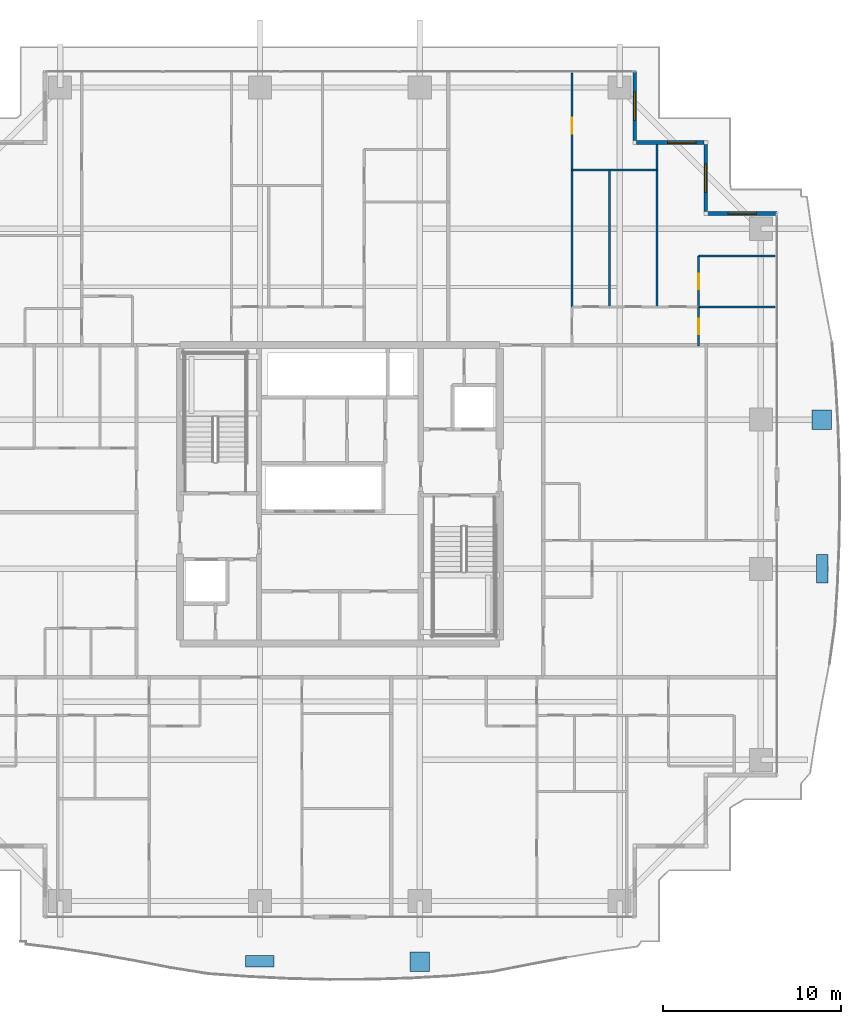
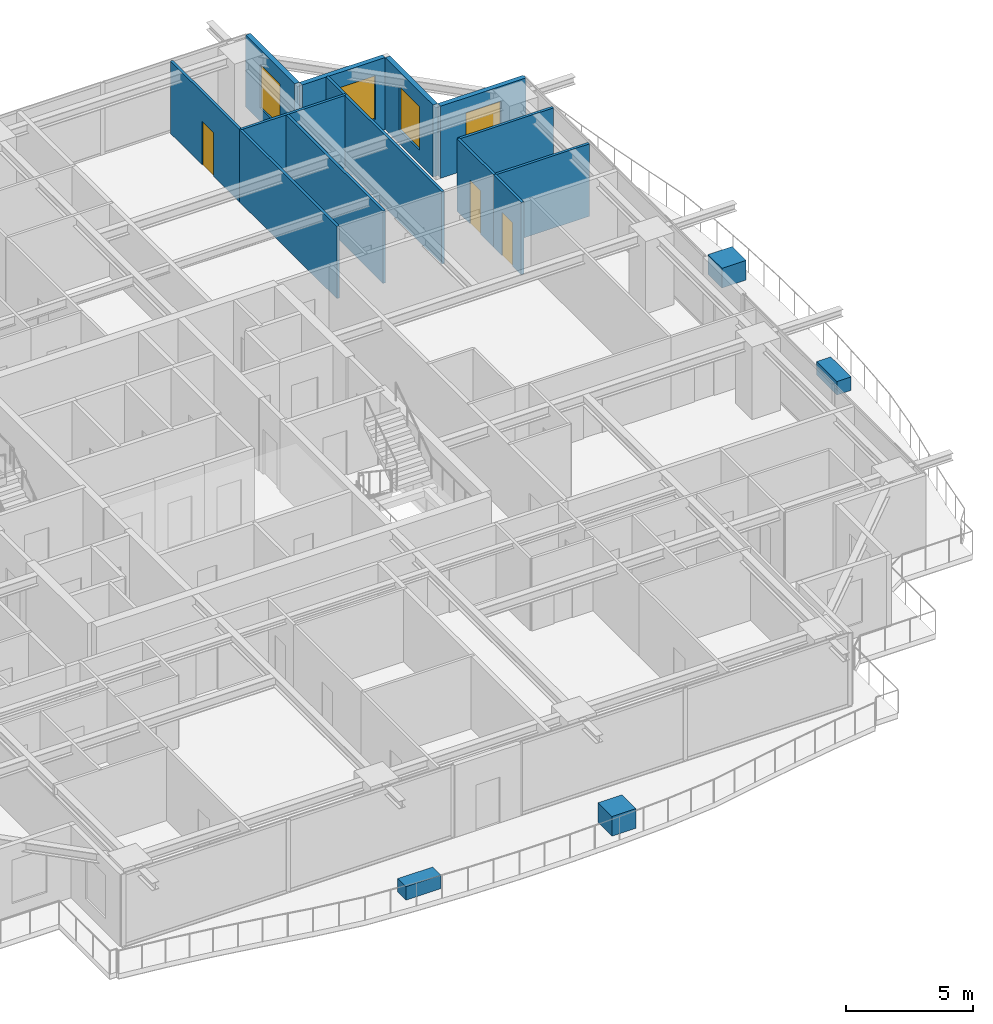
# One storey, part 32 of 38: 13 walls, 4 discrete accessories, 4 windows, 3 doors, 7 openings.
"""IFC4 building model written with IfcOpenShell, lengths in metres."""

import ifcopenshell
import ifcopenshell.guid

model = None  # the IFC model being written
_history = None  # IfcOwnerHistory: only IFC2X3 demands one
_inside = {}  # id of a spatial element -> (the spatial element, [elements in it])
_under = {}  # id of a project, library or spatial element -> (it, [spatial elements below it])
_declared = {}  # id of a project -> (the project, [libraries it declares])
_typed = {}  # id of a type object -> (the type object, [elements of that type])
_made_of = {}  # id of a material, layer set ... -> (it, [elements and type objects made of it])


def new_model(schema):
    """Start an empty IFC model of exactly this schema.

    Asked for "IFC4X3", IfcOpenShell would pick the latest addendum, in which some entities
    have other attributes; the version numbers below select the first issue.
    IFC2X3 requires an IfcOwnerHistory on every rooted entity: one is made here for all.
    """
    global model, _history
    if schema == "IFC4X3":
        model = ifcopenshell.file(schema_version=(4, 3, 0, 0))
    else:
        model = ifcopenshell.file(schema=schema)
    _inside.clear()
    _under.clear()
    _declared.clear()
    _typed.clear()
    _made_of.clear()
    _history = None
    if model.schema == "IFC2X3":
        org = make("IfcOrganization", Name="unknown")
        user = make(
            "IfcPersonAndOrganization",
            ThePerson=make("IfcPerson", FamilyName="unknown"),
            TheOrganization=org,
        )
        app = make(
            "IfcApplication",
            ApplicationDeveloper=org,
            Version="unknown",
            ApplicationFullName="unknown",
            ApplicationIdentifier="unknown",
        )
        _history = make(
            "IfcOwnerHistory",
            OwningUser=user,
            OwningApplication=app,
            ChangeAction="ADDED",
            CreationDate=0,
        )
    return model


def make(cls, **values):
    """One entity of the class cls with the attributes given. An attribute that is None is left unset."""
    return model.create_entity(
        cls, **{name: value for name, value in values.items() if value is not None}
    )


def rooted(cls, **values):
    """An entity with a GlobalId (a new one), such as an element, a storey or a relation."""
    return make(cls, GlobalId=ifcopenshell.guid.new(), OwnerHistory=_history, **values)


def si_unit(unit_type, name, prefix=None):
    """IfcSIUnit, for example si_unit("LENGTHUNIT", "METRE", prefix="MILLI")."""
    return make("IfcSIUnit", UnitType=unit_type, Prefix=prefix, Name=name)


def assignment(units):
    """IfcUnitAssignment: the units of a project."""
    return None if units is None else make("IfcUnitAssignment", Units=units)


def point(xyz):
    """IfcCartesianPoint."""
    return None if xyz is None else make("IfcCartesianPoint", Coordinates=xyz)


def direction(xyz):
    """IfcDirection."""
    return None if xyz is None else make("IfcDirection", DirectionRatios=xyz)


def frame(location, z_axis=None, x_axis=None):
    """IfcAxis2Placement3D, a coordinate frame: its origin and axes. An axis left out is left unset."""
    return make(
        "IfcAxis2Placement3D",
        Location=point(location),
        Axis=direction(z_axis),
        RefDirection=direction(x_axis),
    )


def frame_2d(location, x_axis=None):
    """IfcAxis2Placement2D, a coordinate frame in the plane: its origin and x axis."""
    return make(
        "IfcAxis2Placement2D", Location=point(location), RefDirection=direction(x_axis)
    )


def origin():
    """The frame at (0, 0, 0) with its axes left unset."""
    return frame((0.0, 0.0, 0.0))


def origin_2d():
    """The frame at (0, 0) in the plane with its x axis left unset."""
    return frame_2d((0.0, 0.0))


def place(relative_to, where):
    """IfcLocalPlacement: puts the frame where relative to a parent placement (None: the world)."""
    return make(
        "IfcLocalPlacement", PlacementRelTo=relative_to, RelativePlacement=where
    )


def context(
    kind, dimensions, precision=None, world=None, true_north=None, identifier=None
):
    """IfcGeometricRepresentationContext, for example the 3D "Model" context."""
    return make(
        "IfcGeometricRepresentationContext",
        ContextIdentifier=identifier,
        ContextType=kind,
        CoordinateSpaceDimension=dimensions,
        Precision=precision,
        WorldCoordinateSystem=world,
        TrueNorth=true_north,
    )


def subcontext(parent, identifier, kind, view, scale=None):
    """IfcGeometricRepresentationSubContext, for example "Body" below "Model"."""
    return make(
        "IfcGeometricRepresentationSubContext",
        ContextIdentifier=identifier,
        ContextType=kind,
        ParentContext=parent,
        TargetScale=scale,
        TargetView=view,
    )


def project(units=None, contexts=None):
    """IfcProject with its units and contexts."""
    return rooted(
        "IfcProject",
        Name="project",
        RepresentationContexts=contexts,
        UnitsInContext=assignment(units),
    )


def spatial(cls, under=None, at=None, **own):
    """A site, building, storey or space (cls), placed at a placement, below another one or the project."""
    s = rooted(cls, ObjectPlacement=at, **own)
    if under is not None:
        _under.setdefault(under.id(), (under, []))[1].append(s)
    return s


def profile(cls, at=None, kind="AREA", **sizes):
    """A parametric profile (cls). Its sizes go by their IFC names, for example OverallWidth=200.0."""
    return make(cls, ProfileType=kind, Position=at, **sizes)


def rectangle(**sizes):
    """IfcRectangleProfileDef."""
    return profile("IfcRectangleProfileDef", **sizes)


def extrude(swept, where, along, depth):
    """IfcExtrudedAreaSolid: the profile swept, set in the frame where, extruded along a direction by depth."""
    return make(
        "IfcExtrudedAreaSolid",
        SweptArea=swept,
        Position=where,
        ExtrudedDirection=direction(along),
        Depth=depth,
    )


def shape(context_of_items, identifier, shape_type, items):
    """IfcShapeRepresentation: the items that make up one representation, for example the "Body"."""
    return make(
        "IfcShapeRepresentation",
        ContextOfItems=context_of_items,
        RepresentationIdentifier=identifier,
        RepresentationType=shape_type,
        Items=items,
    )


def source(mapping_origin, context_of_items, identifier, shape_type, items):
    """IfcRepresentationMap: a shape defined once, which mapped items show again and again."""
    return make(
        "IfcRepresentationMap",
        MappingOrigin=mapping_origin,
        MappedRepresentation=shape(context_of_items, identifier, shape_type, items),
    )


def transform(
    local_origin,
    x_axis=None,
    y_axis=None,
    z_axis=None,
    scale=None,
    scale2=None,
    scale3=None,
    uniform=True,
):
    """IfcCartesianTransformationOperator3D, or its non-uniform kind. x_axis, y_axis, z_axis: its Axis1, 2, 3."""
    if uniform:
        return make(
            "IfcCartesianTransformationOperator3D",
            Axis1=direction(x_axis),
            Axis2=direction(y_axis),
            LocalOrigin=point(local_origin),
            Scale=scale,
            Axis3=direction(z_axis),
        )
    return make(
        "IfcCartesianTransformationOperator3DnonUniform",
        Axis1=direction(x_axis),
        Axis2=direction(y_axis),
        LocalOrigin=point(local_origin),
        Scale=scale,
        Axis3=direction(z_axis),
        Scale2=scale2,
        Scale3=scale3,
    )


def mapped(mapping_source, mapping_target):
    """IfcMappedItem: shows the shape of a source again, moved by a transform."""
    return make(
        "IfcMappedItem", MappingSource=mapping_source, MappingTarget=mapping_target
    )


def material(Name=None, Category=None):
    """IfcMaterial."""
    return make("IfcMaterial", Name=Name, Category=Category)


def layer(
    of_material, thickness, ventilated=None, Name=None, Category=None, Priority=None
):
    """IfcMaterialLayer: one layer of a wall or slab, of a material (None: an air gap)."""
    return make(
        "IfcMaterialLayer",
        Material=of_material,
        LayerThickness=thickness,
        IsVentilated=ventilated,
        Name=Name,
        Category=Category,
        Priority=Priority,
    )


def layer_set(layers, Name=None):
    """IfcMaterialLayerSet."""
    return make("IfcMaterialLayerSet", MaterialLayers=layers, LayerSetName=Name)


def made_of(thing, what):
    """Note that an element or type object is made of a material, layer set ...; save() writes the relation."""
    if what is not None:
        _made_of.setdefault(what.id(), (what, []))[1].append(thing)
    return thing


def type_object(cls, material=None, **own):
    """A type object (cls), such as IfcWallType, which elements share."""
    return made_of(rooted(cls, **own), material)


def element(
    cls,
    number,
    at=None,
    inside=None,
    cuts=None,
    type_object=None,
    material=None,
    context=None,
    identifier="Body",
    shape_type=None,
    held_by="IfcProductDefinitionShape",
    body=None,
    shapes=None,
    **own,
):
    """One element of the class cls, such as IfcWall. Its Tag is "e" and its number.

    at: its placement. inside: the storey or other place that contains it. cuts: it is an
    opening in that element (IfcRelVoidsElement). A single representation is given by context,
    identifier, shape_type and body (its items); several are given by shapes. held_by: the class
    of the entity that holds the representations. save() writes the other relations.
    """
    e = rooted(cls, Tag="e%d" % number, ObjectPlacement=at, **own)
    if body is not None:
        shapes = [shape(context, identifier, shape_type, body)]
    if shapes is not None:
        e.Representation = make(held_by, Representations=shapes)
    if inside is not None:
        _inside.setdefault(inside.id(), (inside, []))[1].append(e)
    if cuts is not None:
        rooted(
            "IfcRelVoidsElement", RelatingBuildingElement=cuts, RelatedOpeningElement=e
        )
    if type_object is not None:
        _typed.setdefault(type_object.id(), (type_object, []))[1].append(e)
    return made_of(e, material)


def fill(opening, filler):
    """IfcRelFillsElement: the door or window that sits in an opening."""
    return rooted(
        "IfcRelFillsElement",
        RelatingOpeningElement=opening,
        RelatedBuildingElement=filler,
    )


def aggregate(whole, parts):
    """IfcRelAggregates: a whole, such as a stair, and the parts it consists of."""
    return rooted("IfcRelAggregates", RelatingObject=whole, RelatedObjects=parts)


def save(model, path):
    """Write the relations noted so far, then the file.

    IfcRelAggregates (storeys below a building ...), IfcRelContainedInSpatialStructure (elements
    in a storey), IfcRelDefinesByType, IfcRelAssociatesMaterial and IfcRelDeclares: one each for
    every whole, place, type object, material and project.
    """
    for whole, parts in _under.values():
        aggregate(whole, parts)
    for where, things in _inside.values():
        rooted(
            "IfcRelContainedInSpatialStructure",
            RelatedElements=things,
            RelatingStructure=where,
        )
    for kind, things in _typed.values():
        rooted("IfcRelDefinesByType", RelatedObjects=things, RelatingType=kind)
    for what, things in _made_of.values():
        rooted("IfcRelAssociatesMaterial", RelatedObjects=things, RelatingMaterial=what)
    for by, libraries in _declared.values():
        rooted("IfcRelDeclares", RelatingContext=by, RelatedDefinitions=libraries)
    model.write(path)


model = new_model("IFC4")

# Units and contexts
model_context = context("Model", 3, precision=1e-05, world=origin(), true_north=direction((0.0, 1.0)))
body_context = subcontext(model_context, "Body", "Model", "MODEL_VIEW")
ifc_project = project(units=[si_unit("LENGTHUNIT", "METRE"), si_unit("AREAUNIT", "SQUARE_METRE"), si_unit("VOLUMEUNIT", "CUBIC_METRE"), si_unit("PLANEANGLEUNIT", "RADIAN"), si_unit("MASSUNIT", "GRAM", prefix="KILO")], contexts=[model_context])

# Site, building, storey
site_placement = place(None, origin())
site = spatial("IfcSite", under=ifc_project, at=site_placement, CompositionType="ELEMENT")
building_placement = place(site_placement, origin())
building = spatial("IfcBuilding", under=site, at=building_placement, Name="Serunith Strait Residences", CompositionType="ELEMENT")
storey_placement = place(building_placement, frame((0.0, 0.0, 176.39990234375)))
storey = spatial("IfcBuildingStorey", under=building, at=storey_placement, Name="L44", CompositionType="ELEMENT", Elevation=176.39990234375)

# Wall, opening, window
ifc_material_1 = material(Name="Pale-Champagne Aluminium Insulated Panel", Category="aluminium")
ifc_layer_1 = layer(ifc_material_1, 0.219970703125, Name="Pale-Champagne Aluminium Insulated Panel")
ifc_layer_set_1 = layer_set([ifc_layer_1], Name="Pale-Champagne Aluminium Insulated Panel")
wall_type_1 = type_object("IfcWallType", Name="EW-ALUM-220", PredefinedType="ELEMENTEDWALL", material=ifc_layer_set_1)
wall_1_placement = place(storey_placement, frame((57.0, 41.0, 0.0), z_axis=(0.0, 0.0, 1.0), x_axis=(-1.0, 0.0, 0.0)))
wall_1 = element("IfcWall", 1, at=wall_1_placement, inside=storey, type_object=wall_type_1, Name="L44 Girih Serrated Corner Wall 07", PredefinedType="ELEMENTEDWALL", context=body_context, shape_type="SweptSolid", body=[
    extrude(rectangle(XDim=3.889892578125, YDim=0.219970703125, at=frame_2d((1.94482421875, 0.0))), origin(), (0.0, 0.0, 1.0), 3.47509765625),
])
opening_1_placement = place(wall_1_placement, frame((1.14501953125, 0.0, 0.64990234375)))
opening_1 = element("IfcOpeningElement", 2, at=opening_1_placement, cuts=wall_1, Name="Opening W-02", PredefinedType="OPENING", context=body_context, shape_type="SweptSolid", body=[
    extrude(rectangle(XDim=1.60009765625, YDim=2.10009765625, at=frame_2d((0.800048828125, 1.050048828125))), frame((0.0, 0.1201171875, 0.0), z_axis=(0.0, -1.0, 0.0), x_axis=(1.0, 0.0, 0.0)), (0.0, 0.0, 1.0), 0.239990234375),
])
ifc_material_2 = material(Name="Ceramic-Fritted Operable Aluminium Window Glass", Category="aluminium")
window_type = type_object("IfcWindowType", Name="WIN-C2", PartitioningType="DOUBLE_PANEL_VERTICAL", PredefinedType="WINDOW", material=ifc_material_2)
shared_shape_1 = source(origin(), body_context, "Body", "SweptSolid", [
    extrude(rectangle(XDim=1.60009765625, YDim=2.10009765625, at=frame_2d((0.800048828125, 1.050048828125))), frame((0.0, 0.030029296875, 0.0), z_axis=(0.0, -1.0, 0.0), x_axis=(1.0, 0.0, 0.0)), (0.0, 0.0, 1.0), 0.06005859375),
])
window_1_placement = place(opening_1_placement, origin())
window_1 = element("IfcWindow", 3, at=window_1_placement, inside=storey, type_object=window_type, Name="L44 Corner Operable Fritted Window 07", OverallHeight=2.10009765625, OverallWidth=1.60009765625, PartitioningType="SINGLE_PANEL", PredefinedType="WINDOW", context=body_context, shape_type="MappedRepresentation", body=[
    mapped(shared_shape_1, transform((0.0, 0.0, 0.0), scale=1.0)),
])
fill(opening_1, window_1)

wall_2_placement = place(storey_placement, frame((53.0, 41.110107421875, 0.0), z_axis=(0.0, 0.0, 1.0), x_axis=(0.0, 1.0, 0.0)))
wall_2 = element("IfcWall", 4, at=wall_2_placement, inside=storey, type_object=wall_type_1, Name="L44 Girih Serrated Corner Wall 08", PredefinedType="ELEMENTEDWALL", context=body_context, shape_type="SweptSolid", body=[
    extrude(rectangle(XDim=3.77978515625, YDim=0.219970703125, at=frame_2d((1.889892578125, 0.0))), origin(), (0.0, 0.0, 1.0), 3.47509765625),
])
opening_2_placement = place(wall_2_placement, frame((1.090087890625, 0.0, 0.64990234375)))
opening_2 = element("IfcOpeningElement", 5, at=opening_2_placement, cuts=wall_2, Name="Opening W-02", PredefinedType="OPENING", context=body_context, shape_type="SweptSolid", body=[
    extrude(rectangle(XDim=1.60009765625, YDim=2.10009765625, at=frame_2d((0.800048828125, 1.050048828125))), frame((0.0, 0.1201171875, 0.0), z_axis=(0.0, -1.0, 0.0), x_axis=(1.0, 0.0, 0.0)), (0.0, 0.0, 1.0), 0.239990234375),
])
window_2_placement = place(opening_2_placement, origin())
window_2 = element("IfcWindow", 6, at=window_2_placement, inside=storey, type_object=window_type, Name="L44 Corner Operable Fritted Window 08", OverallHeight=2.10009765625, OverallWidth=1.60009765625, PartitioningType="SINGLE_PANEL", PredefinedType="WINDOW", context=body_context, shape_type="MappedRepresentation", body=[
    mapped(shared_shape_1, transform((0.0, 0.0, 0.0), scale=1.0)),
])
fill(opening_2, window_2)

wall_3_placement = place(storey_placement, frame((52.889892578125, 45.0, 0.0), z_axis=(0.0, 0.0, 1.0), x_axis=(-1.0, 0.0, 0.0)))
wall_3 = element("IfcWall", 7, at=wall_3_placement, inside=storey, type_object=wall_type_1, Name="L44 Girih Serrated Corner Wall 09", PredefinedType="ELEMENTEDWALL", context=body_context, shape_type="SweptSolid", body=[
    extrude(rectangle(XDim=3.77978515625, YDim=0.219970703125, at=frame_2d((1.889892578125, 0.0))), origin(), (0.0, 0.0, 1.0), 3.47509765625),
])
opening_3_placement = place(wall_3_placement, frame((0.43603515625, 0.0, 0.64990234375)))
opening_3 = element("IfcOpeningElement", 8, at=opening_3_placement, cuts=wall_3, Name="Opening W-02", PredefinedType="OPENING", context=body_context, shape_type="SweptSolid", body=[
    extrude(rectangle(XDim=1.60009765625, YDim=2.10009765625, at=frame_2d((0.800048828125, 1.050048828125))), frame((0.0, 0.1201171875, 0.0), z_axis=(0.0, -1.0, 0.0), x_axis=(1.0, 0.0, 0.0)), (0.0, 0.0, 1.0), 0.239990234375),
])
window_3_placement = place(opening_3_placement, origin())
window_3 = element("IfcWindow", 9, at=window_3_placement, inside=storey, type_object=window_type, Name="L44 Corner Operable Fritted Window 09", OverallHeight=2.10009765625, OverallWidth=1.60009765625, PartitioningType="SINGLE_PANEL", PredefinedType="WINDOW", context=body_context, shape_type="MappedRepresentation", body=[
    mapped(shared_shape_1, transform((0.0, 0.0, 0.0), scale=1.0)),
])
fill(opening_3, window_3)

wall_4_placement = place(storey_placement, frame((49.0, 45.110107421875, 0.0), z_axis=(0.0, 0.0, 1.0), x_axis=(0.0, 1.0, 0.0)))
wall_4 = element("IfcWall", 10, at=wall_4_placement, inside=storey, type_object=wall_type_1, Name="L44 Girih Serrated Corner Wall 10", PredefinedType="ELEMENTEDWALL", context=body_context, shape_type="SweptSolid", body=[
    extrude(rectangle(XDim=3.889892578125, YDim=0.219970703125, at=frame_2d((1.94482421875, 0.0))), origin(), (0.0, 0.0, 1.0), 3.47509765625),
])
opening_4_placement = place(wall_4_placement, frame((1.14501953125, 0.0, 0.64990234375)))
opening_4 = element("IfcOpeningElement", 11, at=opening_4_placement, cuts=wall_4, Name="Opening W-02", PredefinedType="OPENING", context=body_context, shape_type="SweptSolid", body=[
    extrude(rectangle(XDim=1.60009765625, YDim=2.10009765625, at=frame_2d((0.800048828125, 1.050048828125))), frame((0.0, 0.1201171875, 0.0), z_axis=(0.0, -1.0, 0.0), x_axis=(1.0, 0.0, 0.0)), (0.0, 0.0, 1.0), 0.239990234375),
])
window_4_placement = place(opening_4_placement, origin())
window_4 = element("IfcWindow", 12, at=window_4_placement, inside=storey, type_object=window_type, Name="L44 Corner Operable Fritted Window 10", OverallHeight=2.10009765625, OverallWidth=1.60009765625, PartitioningType="SINGLE_PANEL", PredefinedType="WINDOW", context=body_context, shape_type="MappedRepresentation", body=[
    mapped(shared_shape_1, transform((0.0, 0.0, 0.0), scale=1.0)),
])
fill(opening_4, window_4)

# Wall, opening, door
ifc_material_3 = material(Name="Lightweight steel-stud gypsum partition", Category="steel")
ifc_layer_2 = layer(ifc_material_3, 0.1201171875, Name="Lightweight steel-stud gypsum partition")
ifc_layer_set_2 = layer_set([ifc_layer_2], Name="Lightweight steel-stud gypsum partition")
wall_type_2 = type_object("IfcWallType", Name="IW-PART-120", PredefinedType="PARTITIONING", material=ifc_layer_set_2)
wall_5_placement = place(storey_placement, frame((45.469970703125, 48.905029296875, 0.0), z_axis=(0.0, 0.0, 1.0), x_axis=(0.0, -1.0, 0.0)))
wall_5 = element("IfcWall", 13, at=wall_5_placement, inside=storey, type_object=wall_type_2, Name="L44 Partition Wall 092", PredefinedType="PARTITIONING", context=body_context, shape_type="SweptSolid", body=[
    extrude(rectangle(XDim=5.443115234375, YDim=0.1201171875, at=frame_2d((2.7216796875, 0.0))), origin(), (0.0, 0.0, 1.0), 3.489990234375),
])
opening_5_placement = place(wall_5_placement, frame((2.4990234375, 0.0, 0.0)))
opening_5 = element("IfcOpeningElement", 14, at=opening_5_placement, cuts=wall_5, Name="Opening D-RM900", PredefinedType="OPENING", context=body_context, shape_type="SweptSolid", body=[
    extrude(rectangle(XDim=0.89990234375, YDim=2.10009765625, at=frame_2d((0.449951171875, 1.050048828125))), frame((0.0, 0.070068359375, 0.0), z_axis=(0.0, -1.0, 0.0), x_axis=(1.0, 0.0, 0.0)), (0.0, 0.0, 1.0), 0.14013671875),
])
ifc_material_4 = material(Name="Engineered timber flush bedroom door", Category="wood")
door_type_1 = type_object("IfcDoorType", Name="ID-ROOM-900", OperationType="NOTDEFINED", PredefinedType="DOOR", material=ifc_material_4)
shared_shape_2 = source(origin(), body_context, "Body", "SweptSolid", [
    extrude(rectangle(XDim=0.89990234375, YDim=2.10009765625, at=frame_2d((0.449951171875, 1.050048828125))), frame((0.0, 0.02490234375, 0.0), z_axis=(0.0, -1.0, 0.0), x_axis=(1.0, 0.0, 0.0)), (0.0, 0.0, 1.0), 0.050048828125),
])
door_1_placement = place(opening_5_placement, origin())
door_1 = element("IfcDoor", 15, at=door_1_placement, inside=storey, type_object=door_type_1, Name="L44 Study 1 4404 Door", OperationType="SINGLE_SWING_LEFT", OverallHeight=2.10009765625, OverallWidth=0.89990234375, PredefinedType="DOOR", context=body_context, shape_type="MappedRepresentation", body=[
    mapped(shared_shape_2, transform((0.0, 0.0, 0.0), scale=1.0)),
])
fill(opening_5, door_1)

# Walls
wall_6_placement = place(storey_placement, frame((45.469970703125, 43.4599609375, 0.0), z_axis=(0.0, 0.0, 1.0), x_axis=(0.0, -1.0, 0.0)))
element("IfcWall", 16, at=wall_6_placement, inside=storey, type_object=wall_type_2, Name="L44 Partition Wall 093", PredefinedType="PARTITIONING", context=body_context, shape_type="SweptSolid", body=[
    extrude(rectangle(XDim=7.7080078125, YDim=0.1201171875, at=frame_2d((3.85400390625, 0.0))), origin(), (0.0, 0.0, 1.0), 3.489990234375),
])
wall_7_placement = place(storey_placement, frame((45.469970703125, 43.4619140625, 0.0), z_axis=(0.0, 0.0, 1.0), x_axis=(1.0, 0.0, 0.0)))
element("IfcWall", 17, at=wall_7_placement, inside=storey, type_object=wall_type_2, Name="L44 Partition Wall 094", PredefinedType="PARTITIONING", context=body_context, shape_type="SweptSolid", body=[
    extrude(rectangle(XDim=4.780029296875, YDim=0.1201171875, at=frame_2d((2.39013671875, 0.0))), origin(), (0.0, 0.0, 1.0), 3.489990234375),
])
wall_8_placement = place(storey_placement, frame((50.25, 44.905029296875, 0.0), z_axis=(0.0, 0.0, 1.0), x_axis=(0.0, -1.0, 0.0)))
element("IfcWall", 18, at=wall_8_placement, inside=storey, type_object=wall_type_2, Name="L44 Partition Wall 095", PredefinedType="PARTITIONING", context=body_context, shape_type="SweptSolid", body=[
    extrude(rectangle(XDim=9.155029296875, YDim=0.1201171875, at=frame_2d((4.57763671875, 0.0))), origin(), (0.0, 0.0, 1.0), 3.489990234375),
])
wall_9_placement = place(storey_placement, frame((47.570068359375, 43.4619140625, 0.0), z_axis=(0.0, 0.0, 1.0), x_axis=(0.0, -1.0, 0.0)))
element("IfcWall", 19, at=wall_9_placement, inside=storey, type_object=wall_type_2, Name="L44 Partition Wall 096", PredefinedType="PARTITIONING", context=body_context, shape_type="SweptSolid", body=[
    extrude(rectangle(XDim=7.7119140625, YDim=0.1201171875, at=frame_2d((3.85595703125, 0.0))), origin(), (0.0, 0.0, 1.0), 3.489990234375),
])
wall_10_placement = place(storey_placement, frame((52.60009765625, 38.60693359375, 0.0), z_axis=(0.0, 0.0, 1.0), x_axis=(1.0, 0.0, 0.0)))
element("IfcWall", 20, at=wall_10_placement, inside=storey, type_object=wall_type_2, Name="L44 Partition Wall 100", PredefinedType="PARTITIONING", context=body_context, shape_type="SweptSolid", body=[
    extrude(rectangle(XDim=4.304931640625, YDim=0.1201171875, at=frame_2d((2.15234375, 0.0))), origin(), (0.0, 0.0, 1.0), 3.489990234375),
])
wall_11_placement = place(storey_placement, frame((52.60205078125, 35.75, 0.0), z_axis=(0.0, 0.0, 1.0), x_axis=(1.0, 0.0, 0.0)))
element("IfcWall", 21, at=wall_11_placement, inside=storey, type_object=wall_type_2, Name="L44 Partition Wall 101", PredefinedType="PARTITIONING", context=body_context, shape_type="SweptSolid", body=[
    extrude(rectangle(XDim=4.302978515625, YDim=0.1201171875, at=frame_2d((2.1513671875, 0.0))), origin(), (0.0, 0.0, 1.0), 3.489990234375),
])

# Wall, opening, door
wall_12_placement = place(storey_placement, frame((52.60009765625, 38.60693359375, 0.0), z_axis=(0.0, 0.0, 1.0), x_axis=(0.0, -1.0, 0.0)))
wall_12 = element("IfcWall", 22, at=wall_12_placement, inside=storey, type_object=wall_type_2, Name="L44 Partition Wall 102", PredefinedType="PARTITIONING", context=body_context, shape_type="SweptSolid", body=[
    extrude(rectangle(XDim=2.85693359375, YDim=0.1201171875, at=frame_2d((1.428466796875, 0.0))), origin(), (0.0, 0.0, 1.0), 3.489990234375),
])
opening_6_placement = place(wall_12_placement, frame((1.0029296875, 0.0, 0.0)))
opening_6 = element("IfcOpeningElement", 23, at=opening_6_placement, cuts=wall_12, Name="Opening D-BTH850", PredefinedType="OPENING", context=body_context, shape_type="SweptSolid", body=[
    extrude(rectangle(XDim=0.85009765625, YDim=2.10009765625, at=frame_2d((0.425048828125, 1.050048828125))), frame((0.0, 0.070068359375, 0.0), z_axis=(0.0, -1.0, 0.0), x_axis=(1.0, 0.0, 0.0)), (0.0, 0.0, 1.0), 0.14013671875),
])
ifc_material_5 = material(Name="Moisture-resistant timber bathroom door", Category="wood")
door_type_2 = type_object("IfcDoorType", Name="ID-BATH-850", OperationType="NOTDEFINED", PredefinedType="DOOR", material=ifc_material_5)
shared_shape_3 = source(origin(), body_context, "Body", "SweptSolid", [
    extrude(rectangle(XDim=0.85009765625, YDim=2.10009765625, at=frame_2d((0.425048828125, 1.050048828125))), frame((0.0, 0.02490234375, 0.0), z_axis=(0.0, -1.0, 0.0), x_axis=(1.0, 0.0, 0.0)), (0.0, 0.0, 1.0), 0.050048828125),
])
door_2_placement = place(opening_6_placement, origin())
door_2 = element("IfcDoor", 24, at=door_2_placement, inside=storey, type_object=door_type_2, Name="L44 En-suite Bathroom E 4404 Door", OperationType="SINGLE_SWING_LEFT", OverallHeight=2.10009765625, OverallWidth=0.85009765625, PredefinedType="DOOR", context=body_context, shape_type="MappedRepresentation", body=[
    mapped(shared_shape_3, transform((0.0, 0.0, 0.0), scale=1.0)),
])
fill(opening_6, door_2)

wall_13_placement = place(storey_placement, frame((52.60009765625, 35.748046875, 0.0), z_axis=(0.0, 0.0, 1.0), x_axis=(0.0, -1.0, 0.0)))
wall_13 = element("IfcWall", 25, at=wall_13_placement, inside=storey, type_object=wall_type_2, Name="L44 Partition Wall 103", PredefinedType="PARTITIONING", context=body_context, shape_type="SweptSolid", body=[
    extrude(rectangle(XDim=2.2080078125, YDim=0.1201171875, at=frame_2d((1.10400390625, 0.0))), origin(), (0.0, 0.0, 1.0), 3.489990234375),
])
opening_7_placement = place(wall_13_placement, frame((0.678955078125, 0.0, 0.0)))
opening_7 = element("IfcOpeningElement", 26, at=opening_7_placement, cuts=wall_13, Name="Opening D-RM850", PredefinedType="OPENING", context=body_context, shape_type="SweptSolid", body=[
    extrude(rectangle(XDim=0.85009765625, YDim=2.10009765625, at=frame_2d((0.425048828125, 1.050048828125))), frame((0.0, 0.070068359375, 0.0), z_axis=(0.0, -1.0, 0.0), x_axis=(1.0, 0.0, 0.0)), (0.0, 0.0, 1.0), 0.14013671875),
])
ifc_material_6 = material(Name="Engineered timber flush study and kitchen door", Category="wood")
door_type_3 = type_object("IfcDoorType", Name="ID-ROOM-850", OperationType="NOTDEFINED", PredefinedType="DOOR", material=ifc_material_6)
door_3_placement = place(opening_7_placement, origin())
door_3 = element("IfcDoor", 27, at=door_3_placement, inside=storey, type_object=door_type_3, Name="L44 Wardrobe E 4404 Door", OperationType="SINGLE_SWING_RIGHT", OverallHeight=2.10009765625, OverallWidth=0.85009765625, PredefinedType="DOOR", context=body_context, shape_type="MappedRepresentation", body=[
    mapped(shared_shape_3, transform((0.0, 0.0, 0.0), scale=1.0)),
])
fill(opening_7, door_3)

# Discrete accessories
ifc_material_7 = material(Name="GFRC Root-Anchored Structural Planter")
discrete_accessory_type_1 = type_object("IfcDiscreteAccessoryType", Name="ACC-PLANTER-TREE", PredefinedType="USERDEFINED", material=ifc_material_7)
shared_shape_4 = source(origin(), body_context, "Body", "SweptSolid", [
    extrude(rectangle(XDim=1.10009765625, YDim=1.10009765625, at=origin_2d()), origin(), (0.0, 0.0, 1.0), 0.949951171875),
])
for number, where, z_axis, x_axis, name in (
    (28, (36.89990234375, -1.11376953125, -0.0498046875), (0.0, 0.0, 1.0), (1.0, 0.0, 0.0), "L44 Vertical-Forest Tree Planter 03"),
    (29, (59.53466796875, 29.39990234375, -0.0498046875), (0.0, 0.0, 1.0), (0.0, 1.0, 0.0), "L44 Vertical-Forest Tree Planter 11"),
):
    element("IfcDiscreteAccessory", number, at=place(storey_placement, frame(where, z_axis=z_axis, x_axis=x_axis)), inside=storey, type_object=discrete_accessory_type_1, Name=name, ObjectType="PLANTER", PredefinedType="USERDEFINED", context=body_context, shape_type="MappedRepresentation", body=[
        mapped(shared_shape_4, transform((0.0, 0.0, 0.0), scale=1.0)),
    ])
ifc_material_8 = material(Name="GFRC Irrigated Shrub Trough Planter")
discrete_accessory_type_2 = type_object("IfcDiscreteAccessoryType", Name="ACC-PLANTER-SHRUB", PredefinedType="USERDEFINED", material=ifc_material_8)
shared_shape_5 = source(origin(), body_context, "Body", "SweptSolid", [
    extrude(rectangle(XDim=1.60009765625, YDim=0.64990234375, at=origin_2d()), origin(), (0.0, 0.0, 1.0), 0.64990234375),
])
for number, where, z_axis, x_axis, name in (
    (30, (27.89990234375, -1.086181640625, -0.0498046875), (0.0, 0.0, 1.0), (1.0, 0.0, 0.0), "L44 Vertical-Forest Shrub Planter 02"),
    (31, (59.553466796875, 21.0, -0.0498046875), (0.0, 0.0, 1.0), (0.0, 1.0, 0.0), "L44 Vertical-Forest Shrub Planter 10"),
):
    element("IfcDiscreteAccessory", number, at=place(storey_placement, frame(where, z_axis=z_axis, x_axis=x_axis)), inside=storey, type_object=discrete_accessory_type_2, Name=name, ObjectType="PLANTER", PredefinedType="USERDEFINED", context=body_context, shape_type="MappedRepresentation", body=[
        mapped(shared_shape_5, transform((0.0, 0.0, 0.0), scale=1.0)),
    ])

save(model, "model.ifc")
